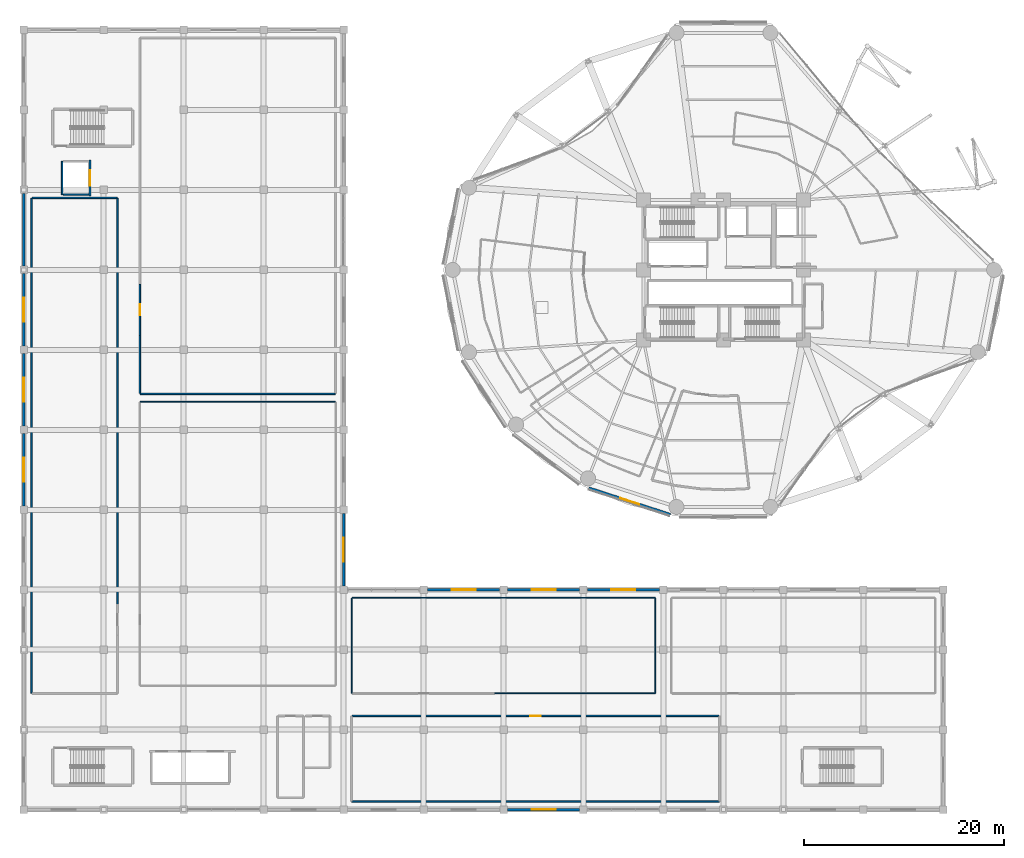
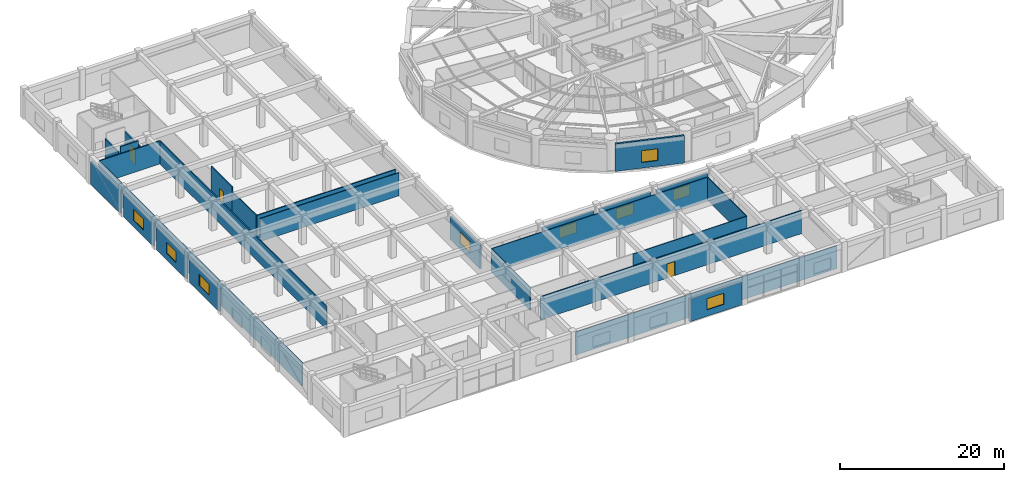
# One storey, part 41 of 53: 26 walls, 9 windows, 3 doors, 12 openings.
"""IFC4 building model written with IfcOpenShell, lengths in metres."""

from ifc_helpers import new_model, si_unit, direction, frame, frame_2d, origin, place, context, subcontext, project, spatial, rectangle, extrude, material, layer, layer_set, type_object, element, fill, save


model = new_model("IFC4")

# Units and contexts
model_context = context("Model", 3, precision=1e-05, world=origin(), true_north=direction((0.0, 1.0)))
body_context = subcontext(model_context, "Body", "Model", "MODEL_VIEW")
ifc_project = project(units=[si_unit("LENGTHUNIT", "METRE"), si_unit("AREAUNIT", "SQUARE_METRE"), si_unit("VOLUMEUNIT", "CUBIC_METRE"), si_unit("PLANEANGLEUNIT", "RADIAN"), si_unit("MASSUNIT", "GRAM", prefix="KILO")], contexts=[model_context])

# Site, building, storey
site_placement = place(None, origin())
site = spatial("IfcSite", under=ifc_project, at=site_placement, CompositionType="ELEMENT")
building_placement = place(site_placement, origin())
building = spatial("IfcBuilding", under=site, at=building_placement, Name="Kelanora Arch Commons", CompositionType="ELEMENT")
storey_placement = place(building_placement, frame((0.0, 0.0, 9.0)))
storey = spatial("IfcBuildingStorey", under=building, at=storey_placement, Name="L02", CompositionType="ELEMENT", Elevation=9.0)

# Walls
ifc_material_1 = material(Name="Autoclaved aerated concrete blockwork with fire plaster", Category="masonry")
ifc_layer_1 = layer(ifc_material_1, 0.14990234375)
ifc_layer_set_1 = layer_set([ifc_layer_1], Name="Autoclaved aerated concrete blockwork with fire plaster")
wall_type_1 = type_object("IfcWallType", Name="W-COMP-150", PredefinedType="PARTITIONING", material=ifc_layer_set_1)
wall_1_placement = place(storey_placement, frame((7.840087890625, 65.5400390625, 0.0), z_axis=(0.0, 0.0, 1.0), x_axis=(0.0, 1.0, 0.0)))
element("IfcWall", 1, at=wall_1_placement, inside=storey, type_object=wall_type_1, Name="Market West Lift Shaft Back Wall L02", PredefinedType="PARTITIONING", context=body_context, shape_type="SweptSolid", body=[
    extrude(rectangle(XDim=3.320068359375, YDim=0.14990234375, at=frame_2d((1.66015625, 0.0))), origin(), (0.0, 0.0, 1.0), 3.425048828125),
])
wall_2_placement = place(storey_placement, frame((7.9599609375, 65.5400390625, 0.0), z_axis=(0.0, 0.0, 1.0), x_axis=(1.0, 0.0, 0.0)))
element("IfcWall", 2, at=wall_2_placement, inside=storey, type_object=wall_type_1, Name="Market West Lift Shaft South Wall L02", PredefinedType="PARTITIONING", context=body_context, shape_type="SweptSolid", body=[
    extrude(rectangle(XDim=2.56005859375, YDim=0.14990234375, at=frame_2d((1.280029296875, 0.0))), origin(), (0.0, 0.0, 1.0), 4.22998046875),
])

# Wall, opening, door
wall_3_placement = place(storey_placement, frame((15.6201171875, 51.4599609375, 0.0), z_axis=(0.0, 0.0, 1.0), x_axis=(0.0, 1.0, 0.0)))
wall_3 = element("IfcWall", 3, at=wall_3_placement, inside=storey, type_object=wall_type_1, Name="Market Maker Kiln and Material Store L02 Entry Partition", PredefinedType="PARTITIONING", context=body_context, shape_type="SweptSolid", body=[
    extrude(rectangle(XDim=5.080078125, YDim=0.14990234375, at=frame_2d((2.5400390625, 0.0))), origin(), (0.0, 0.0, 1.0), 4.090087890625),
])
opening_1_placement = place(wall_3_placement, frame((2.0, 0.0, 0.0)))
opening_1 = element("IfcOpeningElement", 4, at=opening_1_placement, cuts=wall_3, Name="Opening D-PLT1", PredefinedType="OPENING", context=body_context, shape_type="SweptSolid", body=[
    extrude(rectangle(XDim=1.080078125, YDim=2.10009765625, at=frame_2d((0.5400390625, 1.050048828125))), frame((0.0, 0.0849609375, 0.0), z_axis=(0.0, -1.0, 0.0), x_axis=(1.0, 0.0, 0.0)), (0.0, 0.0, 1.0), 0.169921875),
])
ifc_material_2 = material(Name="Galvanised steel plant and riser fire door", Category="steel")
door_type_1 = type_object("IfcDoorType", Name="D-PLT-110", OperationType="NOTDEFINED", PredefinedType="DOOR", material=ifc_material_2)
door_1_placement = place(opening_1_placement, origin())
door_1 = element("IfcDoor", 5, at=door_1_placement, inside=storey, type_object=door_type_1, Name="Market Maker Kiln and Material Store L02 Door", OperationType="SINGLE_SWING_LEFT", OverallHeight=2.10009765625, OverallWidth=1.080078125, PredefinedType="DOOR", context=body_context, shape_type="SweptSolid", body=[
    extrude(rectangle(XDim=1.080078125, YDim=2.10009765625, at=frame_2d((0.5400390625, 1.050048828125))), frame((0.0, 0.02490234375, 0.0), z_axis=(0.0, -1.0, 0.0), x_axis=(1.0, 0.0, 0.0)), (0.0, 0.0, 1.0), 0.050048828125),
])
fill(opening_1, door_1)

wall_4_placement = place(storey_placement, frame((36.860107421875, 13.3798828125, 0.0), z_axis=(0.0, 0.0, 1.0), x_axis=(1.0, 0.0, 0.0)))
wall_4 = element("IfcWall", 6, at=wall_4_placement, inside=storey, type_object=wall_type_1, Name="Market South Cold Room and Dry Store L02 Entry Partition", PredefinedType="PARTITIONING", context=body_context, shape_type="SweptSolid", body=[
    extrude(rectangle(XDim=36.679931640625, YDim=0.14990234375, at=frame_2d((18.33984375, 0.0))), origin(), (0.0, 0.0, 1.0), 3.425048828125),
])
opening_2_placement = place(wall_4_placement, frame((17.800048828125, 0.0, 0.0)))
opening_2 = element("IfcOpeningElement", 7, at=opening_2_placement, cuts=wall_4, Name="Opening D-PLT1", PredefinedType="OPENING", context=body_context, shape_type="SweptSolid", body=[
    extrude(rectangle(XDim=1.080078125, YDim=2.10009765625, at=frame_2d((0.5400390625, 1.050048828125))), frame((0.0, 0.0849609375, 0.0), z_axis=(0.0, -1.0, 0.0), x_axis=(1.0, 0.0, 0.0)), (0.0, 0.0, 1.0), 0.169921875),
])
door_2_placement = place(opening_2_placement, origin())
door_2 = element("IfcDoor", 8, at=door_2_placement, inside=storey, type_object=door_type_1, Name="Market South Cold Room and Dry Store L02 Door", OperationType="SINGLE_SWING_RIGHT", OverallHeight=2.10009765625, OverallWidth=1.080078125, PredefinedType="DOOR", context=body_context, shape_type="SweptSolid", body=[
    extrude(rectangle(XDim=1.080078125, YDim=2.10009765625, at=frame_2d((0.5400390625, 1.050048828125))), frame((0.0, 0.02490234375, 0.0), z_axis=(0.0, -1.0, 0.0), x_axis=(1.0, 0.0, 0.0)), (0.0, 0.0, 1.0), 0.050048828125),
])
fill(opening_2, door_2)

# Walls
wall_5_placement = place(storey_placement, frame((15.659912109375, 45.60009765625, 0.0), z_axis=(0.0, 0.0, 1.0), x_axis=(1.0, 0.0, 0.0)))
element("IfcWall", 9, at=wall_5_placement, inside=storey, type_object=wall_type_1, Name="Market Maker Kiln and Material Store L02 Enclosure Partition 1", PredefinedType="PARTITIONING", context=body_context, shape_type="SweptSolid", body=[
    extrude(rectangle(XDim=19.5, YDim=0.14990234375, at=frame_2d((9.75, 0.0))), origin(), (0.0, 0.0, 1.0), 3.425048828125),
])
wall_6_placement = place(storey_placement, frame((15.6201171875, 51.4599609375, 0.0), z_axis=(0.0, 0.0, 1.0), x_axis=(0.0, -1.0, 0.0)))
element("IfcWall", 10, at=wall_6_placement, inside=storey, type_object=wall_type_1, Name="Market Maker Kiln and Material Store L02 Enclosure Partition 4", PredefinedType="PARTITIONING", context=body_context, shape_type="SweptSolid", body=[
    extrude(rectangle(XDim=5.820068359375, YDim=0.14990234375, at=frame_2d((2.91015625, 0.0))), origin(), (0.0, 0.0, 1.0), 3.425048828125),
])
wall_7_placement = place(storey_placement, frame((36.840087890625, 4.800048828125, 0.0), z_axis=(0.0, 0.0, 1.0), x_axis=(1.0, 0.0, 0.0)))
element("IfcWall", 11, at=wall_7_placement, inside=storey, type_object=wall_type_1, Name="Market South Cold Room and Dry Store L02 Enclosure Partition 1", PredefinedType="PARTITIONING", context=body_context, shape_type="SweptSolid", body=[
    extrude(rectangle(XDim=36.719970703125, YDim=0.14990234375, at=frame_2d((18.35986328125, 0.0))), origin(), (0.0, 0.0, 1.0), 3.425048828125),
])
wall_8_placement = place(storey_placement, frame((13.3798828125, 24.5400390625, 0.0), z_axis=(0.0, 0.0, 1.0), x_axis=(0.0, 1.0, 0.0)))
element("IfcWall", 12, at=wall_8_placement, inside=storey, type_object=wall_type_1, Name="Market West Textile Archive Store L02 Enclosure Partition 2", PredefinedType="PARTITIONING", context=body_context, shape_type="SweptSolid", body=[
    extrude(rectangle(XDim=40.619873046875, YDim=0.14990234375, at=frame_2d((20.31005859375, 0.0))), origin(), (0.0, 0.0, 1.0), 3.425048828125),
])
wall_9_placement = place(storey_placement, frame((13.340087890625, 65.199951171875, 0.0), z_axis=(0.0, 0.0, 1.0), x_axis=(-1.0, 0.0, 0.0)))
element("IfcWall", 13, at=wall_9_placement, inside=storey, type_object=wall_type_1, Name="Market West Textile Archive Store L02 Enclosure Partition 3", PredefinedType="PARTITIONING", context=body_context, shape_type="SweptSolid", body=[
    extrude(rectangle(XDim=8.5, YDim=0.14990234375, at=frame_2d((4.25, 0.0))), origin(), (0.0, 0.0, 1.0), 3.425048828125),
])
wall_10_placement = place(storey_placement, frame((4.800048828125, 65.159912109375, 0.0), z_axis=(0.0, 0.0, 1.0), x_axis=(0.0, -1.0, 0.0)))
element("IfcWall", 14, at=wall_10_placement, inside=storey, type_object=wall_type_1, Name="Market West Textile Archive Store L02 Enclosure Partition 4", PredefinedType="PARTITIONING", context=body_context, shape_type="SweptSolid", body=[
    extrude(rectangle(XDim=49.5, YDim=0.14990234375, at=frame_2d((24.75, 0.0))), origin(), (0.0, 0.0, 1.0), 3.425048828125),
])

# Wall, opening, window
ifc_material_3 = material(Name="Precast concrete C40/50 with terracotta ceramic cladding", Category="masonry")
ifc_layer_2 = layer(ifc_material_3, 0.25)
ifc_layer_set_2 = layer_set([ifc_layer_2], Name="Precast concrete C40/50 with terracotta ceramic cladding")
wall_type_2 = type_object("IfcWallType", Name="W-EXT-MKT", PredefinedType="SOLIDWALL", material=ifc_layer_set_2)
wall_11_placement = place(storey_placement, frame((52.3798828125, 4.0, 0.0), z_axis=(0.0, 0.0, 1.0), x_axis=(1.0, 0.0, 0.0)))
wall_11 = element("IfcWall", 15, at=wall_11_placement, inside=storey, type_object=wall_type_2, Name="Market Hall Exterior Wall L02-06", PredefinedType="SOLIDWALL", context=body_context, shape_type="SweptSolid", body=[
    extrude(rectangle(XDim=7.240234375, YDim=0.25, at=frame_2d((3.6201171875, 0.0))), origin(), (0.0, 0.0, 1.0), 3.419921875),
])
opening_3_placement = place(wall_11_placement, frame((2.419921875, 0.0, 0.949951171875)))
opening_3 = element("IfcOpeningElement", 16, at=opening_3_placement, cuts=wall_11, Name="Opening WN-03", PredefinedType="OPENING", context=body_context, shape_type="SweptSolid", body=[
    extrude(rectangle(XDim=2.39990234375, YDim=1.64990234375, at=frame_2d((1.199951171875, 0.824951171875))), frame((0.0, 0.135009765625, 0.0), z_axis=(0.0, -1.0, 0.0), x_axis=(1.0, 0.0, 0.0)), (0.0, 0.0, 1.0), 0.27001953125),
])
ifc_material_4 = material(Name="Bronze-terracotta aluminium monsoon clerestory window", Category="masonry")
window_type_1 = type_object("IfcWindowType", Name="WIN-MKT-24", PartitioningType="TRIPLE_PANEL_VERTICAL", PredefinedType="WINDOW", material=ifc_material_4)
window_1_placement = place(opening_3_placement, origin())
window_1 = element("IfcWindow", 17, at=window_1_placement, inside=storey, type_object=window_type_1, Name="Market Hall Clerestory Window L02-06", OverallHeight=1.64990234375, OverallWidth=2.39990234375, PartitioningType="SINGLE_PANEL", PredefinedType="WINDOW", context=body_context, shape_type="SweptSolid", body=[
    extrude(rectangle(XDim=2.39990234375, YDim=1.64990234375, at=frame_2d((1.199951171875, 0.824951171875))), frame((0.0, 0.030029296875, 0.0), z_axis=(0.0, -1.0, 0.0), x_axis=(1.0, 0.0, 0.0)), (0.0, 0.0, 1.0), 0.06005859375),
])
fill(opening_3, window_1)

wall_12_placement = place(storey_placement, frame((67.6201171875, 26.0, 0.0), z_axis=(0.0, 0.0, 1.0), x_axis=(-1.0, 0.0, 0.0)))
wall_12 = element("IfcWall", 18, at=wall_12_placement, inside=storey, type_object=wall_type_2, Name="Market Hall Exterior Wall L02-19", PredefinedType="SOLIDWALL", context=body_context, shape_type="SweptSolid", body=[
    extrude(rectangle(XDim=7.240234375, YDim=0.25, at=frame_2d((3.6201171875, 0.0))), origin(), (0.0, 0.0, 1.0), 3.419921875),
])
opening_4_placement = place(wall_12_placement, frame((2.419921875, 0.0, 0.949951171875)))
opening_4 = element("IfcOpeningElement", 19, at=opening_4_placement, cuts=wall_12, Name="Opening WN-03", PredefinedType="OPENING", context=body_context, shape_type="SweptSolid", body=[
    extrude(rectangle(XDim=2.39990234375, YDim=1.64990234375, at=frame_2d((1.199951171875, 0.824951171875))), frame((0.0, 0.135009765625, 0.0), z_axis=(0.0, -1.0, 0.0), x_axis=(1.0, 0.0, 0.0)), (0.0, 0.0, 1.0), 0.27001953125),
])
window_2_placement = place(opening_4_placement, origin())
window_2 = element("IfcWindow", 20, at=window_2_placement, inside=storey, type_object=window_type_1, Name="Market Hall Clerestory Window L02-19", OverallHeight=1.64990234375, OverallWidth=2.39990234375, PartitioningType="SINGLE_PANEL", PredefinedType="WINDOW", context=body_context, shape_type="SweptSolid", body=[
    extrude(rectangle(XDim=2.39990234375, YDim=1.64990234375, at=frame_2d((1.199951171875, 0.824951171875))), frame((0.0, 0.030029296875, 0.0), z_axis=(0.0, -1.0, 0.0), x_axis=(1.0, 0.0, 0.0)), (0.0, 0.0, 1.0), 0.06005859375),
])
fill(opening_4, window_2)

wall_13_placement = place(storey_placement, frame((59.6201171875, 26.0, 0.0), z_axis=(0.0, 0.0, 1.0), x_axis=(-1.0, 0.0, 0.0)))
wall_13 = element("IfcWall", 21, at=wall_13_placement, inside=storey, type_object=wall_type_2, Name="Market Hall Exterior Wall L02-20", PredefinedType="SOLIDWALL", context=body_context, shape_type="SweptSolid", body=[
    extrude(rectangle(XDim=7.240234375, YDim=0.25, at=frame_2d((3.6201171875, 0.0))), origin(), (0.0, 0.0, 1.0), 3.419921875),
])
opening_5_placement = place(wall_13_placement, frame((2.419921875, 0.0, 0.949951171875)))
opening_5 = element("IfcOpeningElement", 22, at=opening_5_placement, cuts=wall_13, Name="Opening WN-03", PredefinedType="OPENING", context=body_context, shape_type="SweptSolid", body=[
    extrude(rectangle(XDim=2.39990234375, YDim=1.64990234375, at=frame_2d((1.199951171875, 0.824951171875))), frame((0.0, 0.135009765625, 0.0), z_axis=(0.0, -1.0, 0.0), x_axis=(1.0, 0.0, 0.0)), (0.0, 0.0, 1.0), 0.27001953125),
])
window_3_placement = place(opening_5_placement, origin())
window_3 = element("IfcWindow", 23, at=window_3_placement, inside=storey, type_object=window_type_1, Name="Market Hall Clerestory Window L02-20", OverallHeight=1.64990234375, OverallWidth=2.39990234375, PartitioningType="SINGLE_PANEL", PredefinedType="WINDOW", context=body_context, shape_type="SweptSolid", body=[
    extrude(rectangle(XDim=2.39990234375, YDim=1.64990234375, at=frame_2d((1.199951171875, 0.824951171875))), frame((0.0, 0.030029296875, 0.0), z_axis=(0.0, -1.0, 0.0), x_axis=(1.0, 0.0, 0.0)), (0.0, 0.0, 1.0), 0.06005859375),
])
fill(opening_5, window_3)

wall_14_placement = place(storey_placement, frame((51.6201171875, 26.0, 0.0), z_axis=(0.0, 0.0, 1.0), x_axis=(-1.0, 0.0, 0.0)))
wall_14 = element("IfcWall", 24, at=wall_14_placement, inside=storey, type_object=wall_type_2, Name="Market Hall Exterior Wall L02-21", PredefinedType="SOLIDWALL", context=body_context, shape_type="SweptSolid", body=[
    extrude(rectangle(XDim=7.240234375, YDim=0.25, at=frame_2d((3.6201171875, 0.0))), origin(), (0.0, 0.0, 1.0), 3.419921875),
])
opening_6_placement = place(wall_14_placement, frame((2.419921875, 0.0, 0.949951171875)))
opening_6 = element("IfcOpeningElement", 25, at=opening_6_placement, cuts=wall_14, Name="Opening WN-03", PredefinedType="OPENING", context=body_context, shape_type="SweptSolid", body=[
    extrude(rectangle(XDim=2.39990234375, YDim=1.64990234375, at=frame_2d((1.199951171875, 0.824951171875))), frame((0.0, 0.135009765625, 0.0), z_axis=(0.0, -1.0, 0.0), x_axis=(1.0, 0.0, 0.0)), (0.0, 0.0, 1.0), 0.27001953125),
])
window_4_placement = place(opening_6_placement, origin())
window_4 = element("IfcWindow", 26, at=window_4_placement, inside=storey, type_object=window_type_1, Name="Market Hall Clerestory Window L02-21", OverallHeight=1.64990234375, OverallWidth=2.39990234375, PartitioningType="SINGLE_PANEL", PredefinedType="WINDOW", context=body_context, shape_type="SweptSolid", body=[
    extrude(rectangle(XDim=2.39990234375, YDim=1.64990234375, at=frame_2d((1.199951171875, 0.824951171875))), frame((0.0, 0.030029296875, 0.0), z_axis=(0.0, -1.0, 0.0), x_axis=(1.0, 0.0, 0.0)), (0.0, 0.0, 1.0), 0.06005859375),
])
fill(opening_6, window_4)

wall_15_placement = place(storey_placement, frame((36.0, 26.3798828125, 0.0), z_axis=(0.0, 0.0, 1.0), x_axis=(0.0, 1.0, 0.0)))
wall_15 = element("IfcWall", 27, at=wall_15_placement, inside=storey, type_object=wall_type_2, Name="Market Hall Exterior Wall L02-23", PredefinedType="SOLIDWALL", context=body_context, shape_type="SweptSolid", body=[
    extrude(rectangle(XDim=7.240234375, YDim=0.25, at=frame_2d((3.6201171875, 0.0))), origin(), (0.0, 0.0, 1.0), 3.419921875),
])
opening_7_placement = place(wall_15_placement, frame((2.419921875, 0.0, 0.949951171875)))
opening_7 = element("IfcOpeningElement", 28, at=opening_7_placement, cuts=wall_15, Name="Opening WN-03", PredefinedType="OPENING", context=body_context, shape_type="SweptSolid", body=[
    extrude(rectangle(XDim=2.39990234375, YDim=1.64990234375, at=frame_2d((1.199951171875, 0.824951171875))), frame((0.0, 0.135009765625, 0.0), z_axis=(0.0, -1.0, 0.0), x_axis=(1.0, 0.0, 0.0)), (0.0, 0.0, 1.0), 0.27001953125),
])
window_5_placement = place(opening_7_placement, origin())
window_5 = element("IfcWindow", 29, at=window_5_placement, inside=storey, type_object=window_type_1, Name="Market Hall Clerestory Window L02-23", OverallHeight=1.64990234375, OverallWidth=2.39990234375, PartitioningType="SINGLE_PANEL", PredefinedType="WINDOW", context=body_context, shape_type="SweptSolid", body=[
    extrude(rectangle(XDim=2.39990234375, YDim=1.64990234375, at=frame_2d((1.199951171875, 0.824951171875))), frame((0.0, 0.030029296875, 0.0), z_axis=(0.0, -1.0, 0.0), x_axis=(1.0, 0.0, 0.0)), (0.0, 0.0, 1.0), 0.06005859375),
])
fill(opening_7, window_5)

# Wall
wall_16_placement = place(storey_placement, frame((4.0, 65.6201171875, 0.0), z_axis=(0.0, 0.0, 1.0), x_axis=(0.0, -1.0, 0.0)))
element("IfcWall", 30, at=wall_16_placement, inside=storey, type_object=wall_type_2, Name="Market Hall Exterior Wall L02-36", PredefinedType="SOLIDWALL", context=body_context, shape_type="SweptSolid", body=[
    extrude(rectangle(XDim=7.240234375, YDim=0.25, at=frame_2d((3.6201171875, 0.0))), origin(), (0.0, 0.0, 1.0), 3.419921875),
])

# Wall, opening, window
wall_17_placement = place(storey_placement, frame((4.0, 57.6201171875, 0.0), z_axis=(0.0, 0.0, 1.0), x_axis=(0.0, -1.0, 0.0)))
wall_17 = element("IfcWall", 31, at=wall_17_placement, inside=storey, type_object=wall_type_2, Name="Market Hall Exterior Wall L02-37", PredefinedType="SOLIDWALL", context=body_context, shape_type="SweptSolid", body=[
    extrude(rectangle(XDim=7.240234375, YDim=0.25, at=frame_2d((3.6201171875, 0.0))), origin(), (0.0, 0.0, 1.0), 3.419921875),
])
opening_8_placement = place(wall_17_placement, frame((2.419921875, 0.0, 0.949951171875)))
opening_8 = element("IfcOpeningElement", 32, at=opening_8_placement, cuts=wall_17, Name="Opening WN-03", PredefinedType="OPENING", context=body_context, shape_type="SweptSolid", body=[
    extrude(rectangle(XDim=2.39990234375, YDim=1.64990234375, at=frame_2d((1.199951171875, 0.824951171875))), frame((0.0, 0.135009765625, 0.0), z_axis=(0.0, -1.0, 0.0), x_axis=(1.0, 0.0, 0.0)), (0.0, 0.0, 1.0), 0.27001953125),
])
window_6_placement = place(opening_8_placement, origin())
window_6 = element("IfcWindow", 33, at=window_6_placement, inside=storey, type_object=window_type_1, Name="Market Hall Clerestory Window L02-37", OverallHeight=1.64990234375, OverallWidth=2.39990234375, PartitioningType="SINGLE_PANEL", PredefinedType="WINDOW", context=body_context, shape_type="SweptSolid", body=[
    extrude(rectangle(XDim=2.39990234375, YDim=1.64990234375, at=frame_2d((1.199951171875, 0.824951171875))), frame((0.0, 0.030029296875, 0.0), z_axis=(0.0, -1.0, 0.0), x_axis=(1.0, 0.0, 0.0)), (0.0, 0.0, 1.0), 0.06005859375),
])
fill(opening_8, window_6)

wall_18_placement = place(storey_placement, frame((4.0, 49.6201171875, 0.0), z_axis=(0.0, 0.0, 1.0), x_axis=(0.0, -1.0, 0.0)))
wall_18 = element("IfcWall", 34, at=wall_18_placement, inside=storey, type_object=wall_type_2, Name="Market Hall Exterior Wall L02-38", PredefinedType="SOLIDWALL", context=body_context, shape_type="SweptSolid", body=[
    extrude(rectangle(XDim=7.240234375, YDim=0.25, at=frame_2d((3.6201171875, 0.0))), origin(), (0.0, 0.0, 1.0), 3.419921875),
])
opening_9_placement = place(wall_18_placement, frame((2.419921875, 0.0, 0.949951171875)))
opening_9 = element("IfcOpeningElement", 35, at=opening_9_placement, cuts=wall_18, Name="Opening WN-03", PredefinedType="OPENING", context=body_context, shape_type="SweptSolid", body=[
    extrude(rectangle(XDim=2.39990234375, YDim=1.64990234375, at=frame_2d((1.199951171875, 0.824951171875))), frame((0.0, 0.135009765625, 0.0), z_axis=(0.0, -1.0, 0.0), x_axis=(1.0, 0.0, 0.0)), (0.0, 0.0, 1.0), 0.27001953125),
])
window_7_placement = place(opening_9_placement, origin())
window_7 = element("IfcWindow", 36, at=window_7_placement, inside=storey, type_object=window_type_1, Name="Market Hall Clerestory Window L02-38", OverallHeight=1.64990234375, OverallWidth=2.39990234375, PartitioningType="SINGLE_PANEL", PredefinedType="WINDOW", context=body_context, shape_type="SweptSolid", body=[
    extrude(rectangle(XDim=2.39990234375, YDim=1.64990234375, at=frame_2d((1.199951171875, 0.824951171875))), frame((0.0, 0.030029296875, 0.0), z_axis=(0.0, -1.0, 0.0), x_axis=(1.0, 0.0, 0.0)), (0.0, 0.0, 1.0), 0.06005859375),
])
fill(opening_9, window_7)

wall_19_placement = place(storey_placement, frame((4.0, 41.6201171875, 0.0), z_axis=(0.0, 0.0, 1.0), x_axis=(0.0, -1.0, 0.0)))
wall_19 = element("IfcWall", 37, at=wall_19_placement, inside=storey, type_object=wall_type_2, Name="Market Hall Exterior Wall L02-39", PredefinedType="SOLIDWALL", context=body_context, shape_type="SweptSolid", body=[
    extrude(rectangle(XDim=7.240234375, YDim=0.25, at=frame_2d((3.6201171875, 0.0))), origin(), (0.0, 0.0, 1.0), 3.419921875),
])
opening_10_placement = place(wall_19_placement, frame((2.419921875, 0.0, 0.949951171875)))
opening_10 = element("IfcOpeningElement", 38, at=opening_10_placement, cuts=wall_19, Name="Opening WN-03", PredefinedType="OPENING", context=body_context, shape_type="SweptSolid", body=[
    extrude(rectangle(XDim=2.39990234375, YDim=1.64990234375, at=frame_2d((1.199951171875, 0.824951171875))), frame((0.0, 0.135009765625, 0.0), z_axis=(0.0, -1.0, 0.0), x_axis=(1.0, 0.0, 0.0)), (0.0, 0.0, 1.0), 0.27001953125),
])
window_8_placement = place(opening_10_placement, origin())
window_8 = element("IfcWindow", 39, at=window_8_placement, inside=storey, type_object=window_type_1, Name="Market Hall Clerestory Window L02-39", OverallHeight=1.64990234375, OverallWidth=2.39990234375, PartitioningType="SINGLE_PANEL", PredefinedType="WINDOW", context=body_context, shape_type="SweptSolid", body=[
    extrude(rectangle(XDim=2.39990234375, YDim=1.64990234375, at=frame_2d((1.199951171875, 0.824951171875))), frame((0.0, 0.030029296875, 0.0), z_axis=(0.0, -1.0, 0.0), x_axis=(1.0, 0.0, 0.0)), (0.0, 0.0, 1.0), 0.06005859375),
])
fill(opening_10, window_8)

ifc_material_5 = material(Name="Precast concrete C40/50 with terracotta rainscreen", Category="masonry")
ifc_layer_3 = layer(ifc_material_5, 0.260009765625)
ifc_layer_set_3 = layer_set([ifc_layer_3], Name="Precast concrete C40/50 with terracotta rainscreen")
wall_type_3 = type_object("IfcWallType", Name="W-EXT-TC", PredefinedType="SOLIDWALL", material=ifc_layer_set_3)
wall_20_placement = place(storey_placement, frame((60.5263671875, 36.178466796875, 0.0), z_axis=(0.0, 0.0, 1.0), x_axis=(0.951039914291, -0.309068085421, 0.0)))
wall_20 = element("IfcWall", 40, at=wall_20_placement, inside=storey, type_object=wall_type_3, Name="Terracotta Exterior Wall L02-B12", PredefinedType="SOLIDWALL", context=body_context, shape_type="SweptSolid", body=[
    extrude(rectangle(XDim=8.593505859375, YDim=0.260009765625, at=frame_2d((4.296875, 0.0))), origin(), (0.0, 0.0, 1.0), 4.0849609375),
])
opening_11_placement = place(wall_20_placement, frame((3.297119140625, 0.0, 0.85009765625)))
opening_11 = element("IfcOpeningElement", 41, at=opening_11_placement, cuts=wall_20, Name="Opening WN-05", PredefinedType="OPENING", context=body_context, shape_type="SweptSolid", body=[
    extrude(rectangle(XDim=2.0, YDim=1.75, at=frame_2d((1.0, 0.875))), frame((0.0, 0.14013671875, 0.0), z_axis=(0.0, -1.0, 0.0), x_axis=(1.0, 0.0, 0.0)), (0.0, 0.0, 1.0), 0.280029296875),
])
ifc_material_6 = material(Name="Terracotta-anodised aluminium podium window", Category="masonry")
window_type_2 = type_object("IfcWindowType", Name="WIN-POD-20", PartitioningType="TRIPLE_PANEL_VERTICAL", PredefinedType="WINDOW", material=ifc_material_6)
window_9_placement = place(opening_11_placement, origin())
window_9 = element("IfcWindow", 42, at=window_9_placement, inside=storey, type_object=window_type_2, Name="Podium Window L02-B12", OverallHeight=1.75, OverallWidth=2.0, PartitioningType="SINGLE_PANEL", PredefinedType="WINDOW", context=body_context, shape_type="SweptSolid", body=[
    extrude(rectangle(XDim=2.0, YDim=1.75, at=frame_2d((1.0, 0.875))), frame((0.0, 0.030029296875, 0.0), z_axis=(0.0, -1.0, 0.0), x_axis=(1.0, 0.0, 0.0)), (0.0, 0.0, 1.0), 0.06005859375),
])
fill(opening_11, window_9)

# Wall, opening, door
ifc_material_7 = material(Name="Concrete C40/50", Category="concrete")
ifc_layer_4 = layer(ifc_material_7, 0.199951171875)
ifc_layer_set_4 = layer_set([ifc_layer_4], Name="Concrete C40/50")
wall_type_4 = type_object("IfcWallType", Name="W-FFL-200", PredefinedType="SOLIDWALL", material=ifc_layer_set_4)
wall_21_placement = place(storey_placement, frame((10.64990234375, 65.39990234375, 0.0), z_axis=(0.0, 0.0, 1.0), x_axis=(0.0, 1.0, 0.0)))
wall_21 = element("IfcWall", 43, at=wall_21_placement, inside=storey, type_object=wall_type_4, Name="Market West Goods Lift Shaft Front L02", PredefinedType="SOLIDWALL", context=body_context, shape_type="SweptSolid", body=[
    extrude(rectangle(XDim=3.60009765625, YDim=0.199951171875, at=frame_2d((1.800048828125, 0.0))), origin(), (0.0, 0.0, 1.0), 3.425048828125),
])
opening_12_placement = place(wall_21_placement, frame((1.02001953125, 0.0, 0.0)))
opening_12 = element("IfcOpeningElement", 44, at=opening_12_placement, cuts=wall_21, Name="Opening LD-GD", PredefinedType="OPENING", context=body_context, shape_type="SweptSolid", body=[
    extrude(rectangle(XDim=1.550048828125, YDim=2.199951171875, at=frame_2d((0.77490234375, 1.10009765625))), frame((0.0, 0.10986328125, 0.0), z_axis=(0.0, -1.0, 0.0), x_axis=(1.0, 0.0, 0.0)), (0.0, 0.0, 1.0), 0.219970703125),
])
ifc_material_8 = material(Name="Heavy-duty goods lift bi-parting sliding landing door")
door_type_2 = type_object("IfcDoorType", Name="D-LIFT-GDS", OperationType="NOTDEFINED", PredefinedType="DOOR", material=ifc_material_8)
door_3_placement = place(opening_12_placement, origin())
door_3 = element("IfcDoor", 45, at=door_3_placement, inside=storey, type_object=door_type_2, Name="Market Goods Lift LF-MG2 Landing Door L02", OperationType="DOUBLE_DOOR_SLIDING", OverallHeight=2.199951171875, OverallWidth=1.550048828125, PredefinedType="DOOR", context=body_context, shape_type="SweptSolid", body=[
    extrude(rectangle(XDim=1.550048828125, YDim=2.199951171875, at=frame_2d((0.77490234375, 1.10009765625))), frame((0.0, 0.02490234375, 0.0), z_axis=(0.0, -1.0, 0.0), x_axis=(1.0, 0.0, 0.0)), (0.0, 0.0, 1.0), 0.050048828125),
])
fill(opening_12, door_3)

# Walls
ifc_material_9 = material(Name="Lightweight fire-rated acoustic stud partition")
ifc_layer_5 = layer(ifc_material_9, 0.10009765625)
ifc_layer_set_5 = layer_set([ifc_layer_5], Name="Lightweight fire-rated acoustic stud partition")
wall_type_5 = type_object("IfcWallType", Name="W-PART-100", PredefinedType="PARTITIONING", material=ifc_layer_set_5)
wall_22_placement = place(storey_placement, frame((51.139892578125, 15.6201171875, 0.0), z_axis=(0.0, 0.0, 1.0), x_axis=(1.0, 0.0, 0.0)))
element("IfcWall", 46, at=wall_22_placement, inside=storey, type_object=wall_type_5, Name="Textile and Ceramic Maker Studios Enclosure Partition 1", PredefinedType="PARTITIONING", context=body_context, shape_type="SweptSolid", body=[
    extrude(rectangle(XDim=16.02001953125, YDim=0.10009765625, at=frame_2d((8.010009765625, 0.0))), origin(), (0.0, 0.0, 1.0), 3.425048828125),
])
wall_23_placement = place(storey_placement, frame((67.199951171875, 15.659912109375, 0.0), z_axis=(0.0, 0.0, 1.0), x_axis=(0.0, 1.0, 0.0)))
element("IfcWall", 47, at=wall_23_placement, inside=storey, type_object=wall_type_5, Name="Textile and Ceramic Maker Studios Enclosure Partition 2", PredefinedType="PARTITIONING", context=body_context, shape_type="SweptSolid", body=[
    extrude(rectangle(XDim=9.5, YDim=0.10009765625, at=frame_2d((4.75, 0.0))), origin(), (0.0, 0.0, 1.0), 3.425048828125),
])
wall_24_placement = place(storey_placement, frame((67.159912109375, 25.199951171875, 0.0), z_axis=(0.0, 0.0, 1.0), x_axis=(-1.0, 0.0, 0.0)))
element("IfcWall", 48, at=wall_24_placement, inside=storey, type_object=wall_type_5, Name="Textile and Ceramic Maker Studios Enclosure Partition 3", PredefinedType="PARTITIONING", context=body_context, shape_type="SweptSolid", body=[
    extrude(rectangle(XDim=30.31982421875, YDim=0.10009765625, at=frame_2d((15.159912109375, 0.0))), origin(), (0.0, 0.0, 1.0), 3.425048828125),
])
wall_25_placement = place(storey_placement, frame((36.800048828125, 25.159912109375, 0.0), z_axis=(0.0, 0.0, 1.0), x_axis=(0.0, -1.0, 0.0)))
element("IfcWall", 49, at=wall_25_placement, inside=storey, type_object=wall_type_5, Name="Textile and Ceramic Maker Studios Enclosure Partition 4", PredefinedType="PARTITIONING", context=body_context, shape_type="SweptSolid", body=[
    extrude(rectangle(XDim=9.5, YDim=0.10009765625, at=frame_2d((4.75, 0.0))), origin(), (0.0, 0.0, 1.0), 3.425048828125),
])
wall_26_placement = place(storey_placement, frame((35.159912109375, 44.800048828125, 0.0), z_axis=(0.0, 0.0, 1.0), x_axis=(-1.0, 0.0, 0.0)))
element("IfcWall", 50, at=wall_26_placement, inside=storey, type_object=wall_type_5, Name="Student Co-Op Bookshop and Print Workshop Enclosure Partition 3", PredefinedType="PARTITIONING", context=body_context, shape_type="SweptSolid", body=[
    extrude(rectangle(XDim=19.5, YDim=0.10009765625, at=frame_2d((9.75, 0.0))), origin(), (0.0, 0.0, 1.0), 3.425048828125),
])

save(model, "model.ifc")
